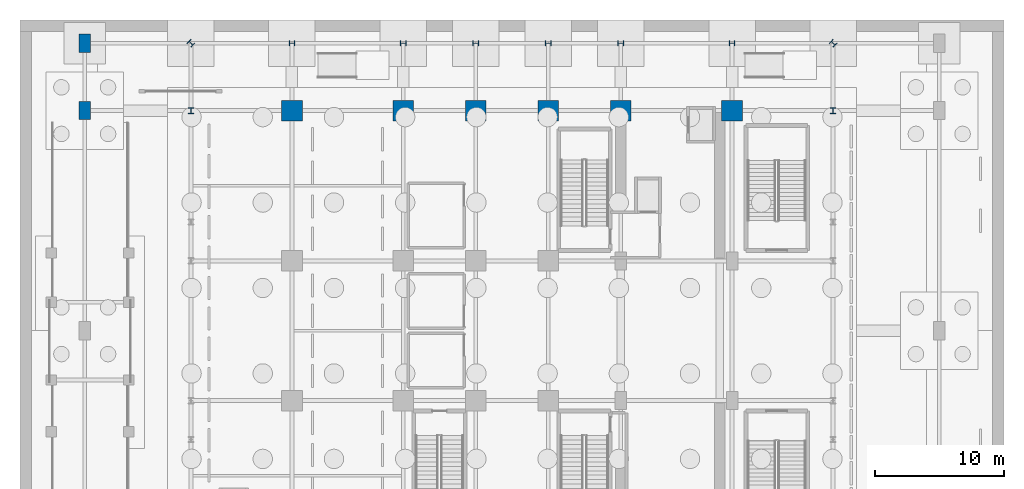
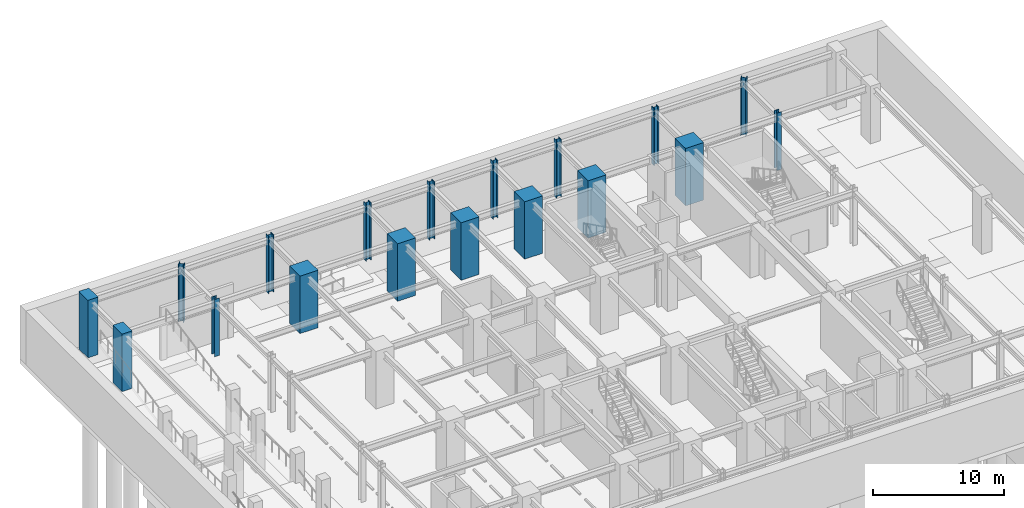
# One storey, part 3 of 14: 18 columns.
"""IFC4 building model written with IfcOpenShell, lengths in metres."""

from ifc_helpers import new_model, si_unit, direction, frame, origin, origin_2d, place, context, subcontext, project, spatial, rectangle, i_section, extrude, source, transform, mapped, material, material_profile, profile_set, type_object, element, save


model = new_model("IFC4")

# Units and contexts
model_context = context("Model", 3, precision=1e-05, world=origin(), true_north=direction((0.0, 1.0)))
body_context = subcontext(model_context, "Body", "Model", "MODEL_VIEW")
ifc_project = project(units=[si_unit("LENGTHUNIT", "METRE"), si_unit("AREAUNIT", "SQUARE_METRE"), si_unit("VOLUMEUNIT", "CUBIC_METRE"), si_unit("PLANEANGLEUNIT", "RADIAN"), si_unit("MASSUNIT", "GRAM", prefix="KILO")], contexts=[model_context])

# Site, building, storey
site_placement = place(None, origin())
site = spatial("IfcSite", under=ifc_project, at=site_placement, CompositionType="ELEMENT")
building_placement = place(site_placement, origin())
building = spatial("IfcBuilding", under=site, at=building_placement, Name="Nahalor Promenade Grand Hotel", CompositionType="ELEMENT")
storey_placement = place(building_placement, frame((0.0, 0.0, -10.800048828125)))
storey = spatial("IfcBuildingStorey", under=building, at=storey_placement, Name="B02", CompositionType="ELEMENT", Elevation=-10.800048828125)

# Columns
ifc_material_1 = material(Name="Concrete B-70 (C60/75)", Category="concrete")
ifc_material_profile_1 = material_profile(ifc_material_1, rectangle(XDim=1.6, YDim=1.6, at=origin_2d()), Name="RC 1600x1600")
ifc_profile_set_1 = profile_set([ifc_material_profile_1], Name="Concrete B-70 (C60/75)")
column_type_1 = type_object("IfcColumnType", Name="Col-RC-1600", PredefinedType="COLUMN", material=ifc_profile_set_1)
shared_shape_1 = source(origin(), body_context, "Body", "SweptSolid", [
    extrude(rectangle(XDim=1.6, YDim=1.6, at=origin_2d()), origin(), (0.0, 0.0, 1.0), 5.35498046875),
])
for number, where, z_axis, x_axis, name in (
    (1, (-17.0, 17.0, 0.0), (0.0, 0.0, 1.0), (1.0, 0.0, 0.0), "COL-B02-I03"),
    (2, (-8.39990234375, 17.0, 0.0), (0.0, 0.0, 1.0), (1.0, 0.0, 0.0), "COL-B02-I13"),
    (3, (-2.800048828125, 17.0, 0.0), (0.0, 0.0, 1.0), (1.0, 0.0, 0.0), "COL-B02-I23"),
    (4, (2.800048828125, 17.0, 0.0), (0.0, 0.0, 1.0), (1.0, 0.0, 0.0), "COL-B02-I33"),
    (5, (8.39990234375, 17.0, 0.0), (0.0, 0.0, 1.0), (1.0, 0.0, 0.0), "COL-B02-I43"),
    (6, (17.0, 17.0, 0.0), (0.0, 0.0, 1.0), (1.0, 0.0, 0.0), "COL-B02-I53"),
):
    element("IfcColumn", number, at=place(storey_placement, frame(where, z_axis=z_axis, x_axis=x_axis)), inside=storey, type_object=column_type_1, Name=name, PredefinedType="COLUMN", context=body_context, shape_type="MappedRepresentation", body=[
        mapped(shared_shape_1, transform((0.0, 0.0, 0.0), scale=1.0)),
    ])
ifc_material_2 = material(Name="Concrete B-60 (C50/60)", Category="concrete")
ifc_material_profile_2 = material_profile(ifc_material_2, rectangle(XDim=0.9, YDim=1.4, at=origin_2d()), Name="RC 900x1400")
ifc_profile_set_2 = profile_set([ifc_material_profile_2], Name="Concrete B-60 (C50/60)")
column_type_2 = type_object("IfcColumnType", Name="Col-Pilaster-1400", PredefinedType="PILASTER", material=ifc_profile_set_2)
shared_shape_2 = source(origin(), body_context, "Body", "SweptSolid", [
    extrude(rectangle(XDim=0.9, YDim=1.4, at=origin_2d()), origin(), (0.0, 0.0, 1.0), 5.35498046875),
])
for number, where, z_axis, x_axis, name in (
    (7, (-33.0, 17.0, 0.0), (0.0, 0.0, 1.0), (1.0, 0.0, 0.0), "COL-B02-PC-W3"),
    (8, (-33.0, 22.199951171875, 0.0), (0.0, 0.0, 1.0), (1.0, 0.0, 0.0), "COL-B02-PC-W4"),
):
    element("IfcColumn", number, at=place(storey_placement, frame(where, z_axis=z_axis, x_axis=x_axis)), inside=storey, type_object=column_type_2, Name=name, PredefinedType="PILASTER", context=body_context, shape_type="MappedRepresentation", body=[
        mapped(shared_shape_2, transform((0.0, 0.0, 0.0), scale=1.0)),
    ])
ifc_material_3 = material(Name="Steel S355J2", Category="steel")
ifc_material_profile_3 = material_profile(ifc_material_3, i_section(OverallWidth=0.416, OverallDepth=0.446, WebThickness=0.025, FlangeThickness=0.04, at=origin_2d()), Name="HD 400x509")
ifc_profile_set_3 = profile_set([ifc_material_profile_3], Name="Steel S355J2")
column_type_3 = type_object("IfcColumnType", Name="Col-Steel-HD509", PredefinedType="COLUMN", material=ifc_profile_set_3)
shared_shape_3 = source(origin(), body_context, "Body", "SweptSolid", [
    extrude(i_section(OverallWidth=0.416, OverallDepth=0.446, WebThickness=0.025, FlangeThickness=0.04, at=origin_2d()), origin(), (0.0, 0.0, 1.0), 5.35498046875),
])
for number, where, z_axis, x_axis, name in (
    (9, (-24.800048828125, 17.0, 0.0), (0.0, 0.0, 1.0), (1.0, 0.0, 0.0), "COL-B02-PW-W5"),
    (10, (24.800048828125, 17.0, 0.0), (0.0, 0.0, 1.0), (1.0, 0.0, 0.0), "COL-B02-PW-E5"),
    (11, (-17.0, 22.199951171875, 0.0), (0.0, 0.0, 1.0), (0.0, 1.0, 0.0), "COL-B02-PN-N0"),
    (12, (-8.39990234375, 22.199951171875, 0.0), (0.0, 0.0, 1.0), (0.0, 1.0, 0.0), "COL-B02-PN-N1"),
    (13, (-2.800048828125, 22.199951171875, 0.0), (0.0, 0.0, 1.0), (0.0, 1.0, 0.0), "COL-B02-PN-N2"),
    (14, (2.800048828125, 22.199951171875, 0.0), (0.0, 0.0, 1.0), (0.0, 1.0, 0.0), "COL-B02-PN-N3"),
    (15, (8.39990234375, 22.199951171875, 0.0), (0.0, 0.0, 1.0), (0.0, 1.0, 0.0), "COL-B02-PN-N4"),
    (16, (17.0, 22.199951171875, 0.0), (0.0, 0.0, 1.0), (0.0, 1.0, 0.0), "COL-B02-PN-N5"),
    (17, (-24.800048828125, 22.199951171875, 0.0), (0.0, 0.0, 1.0), (0.707106781187, 0.707106781187, 0.0), "COL-B02-CRN-NW"),
    (18, (24.800048828125, 22.199951171875, 0.0), (0.0, 0.0, 1.0), (0.707106781187, 0.707106781187, 0.0), "COL-B02-CRN-NE"),
):
    element("IfcColumn", number, at=place(storey_placement, frame(where, z_axis=z_axis, x_axis=x_axis)), inside=storey, type_object=column_type_3, Name=name, PredefinedType="COLUMN", context=body_context, shape_type="MappedRepresentation", body=[
        mapped(shared_shape_3, transform((0.0, 0.0, 0.0), scale=1.0)),
    ])

save(model, "model.ifc")
